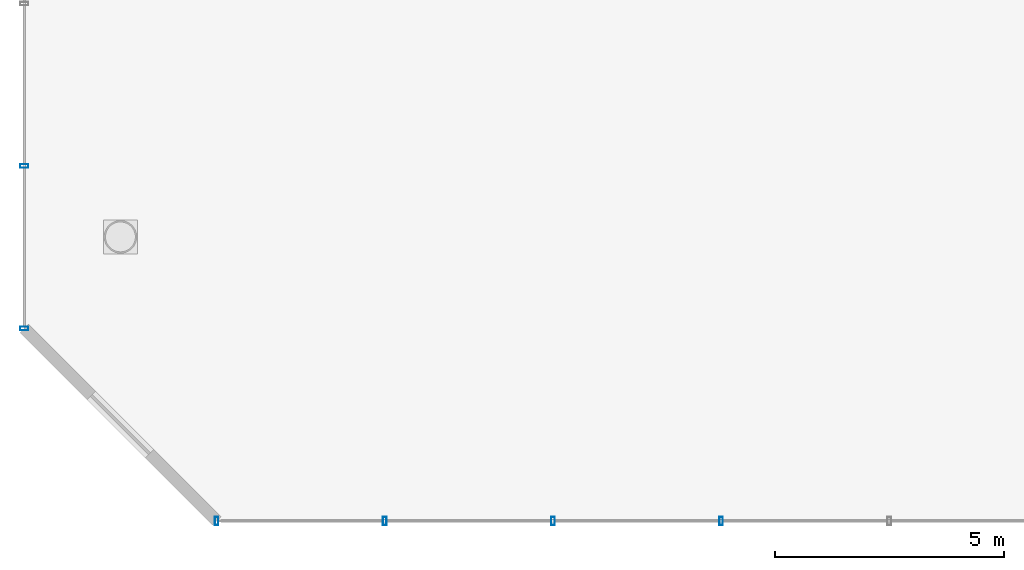
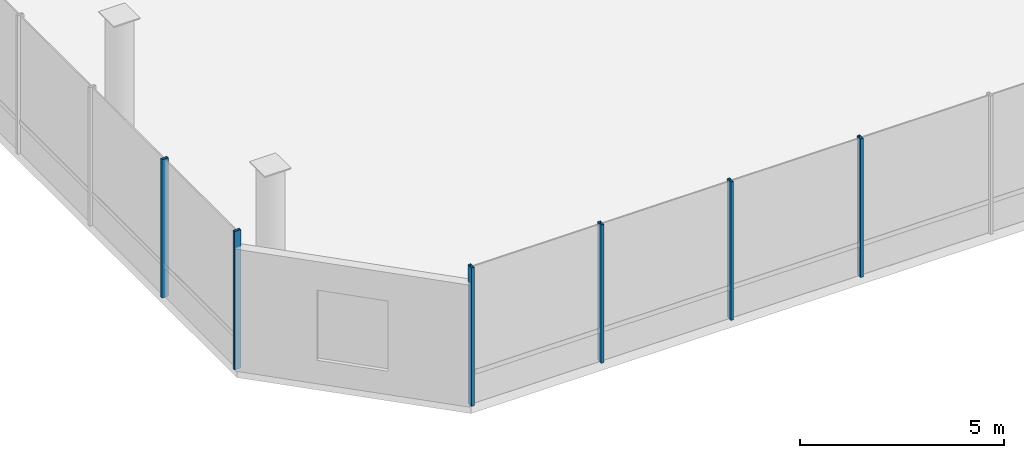
# One storey, part 5 of 43: 6 members, 2 elements without a shape of their own.
"""IFC4 building model written with IfcOpenShell, lengths in metres."""

from ifc_helpers import new_model, si_unit, direction, frame, origin, origin_2d, place, context, subcontext, project, spatial, hollow_rectangle, extrude, material, layer, layer_set, material_profile, profile_set, type_object, element, aggregate, save


model = new_model("IFC4")

# Units and contexts
model_context = context("Model", 3, precision=1e-05, world=origin(), true_north=direction((0.0, 1.0)))
body_context = subcontext(model_context, "Body", "Model", "MODEL_VIEW")
ifc_project = project(units=[si_unit("LENGTHUNIT", "METRE"), si_unit("AREAUNIT", "SQUARE_METRE"), si_unit("VOLUMEUNIT", "CUBIC_METRE"), si_unit("PLANEANGLEUNIT", "RADIAN"), si_unit("MASSUNIT", "GRAM", prefix="KILO")], contexts=[model_context])

# Site, building, storey
site_placement = place(None, origin())
site = spatial("IfcSite", under=ifc_project, at=site_placement, CompositionType="ELEMENT")
building_placement = place(site_placement, origin())
building = spatial("IfcBuilding", under=site, at=building_placement, Name="Zarrinselat Tower", CompositionType="ELEMENT")
storey_placement = place(building_placement, frame((0.0, 0.0, 5.10009765625)))
storey = spatial("IfcBuildingStorey", under=building, at=storey_placement, Name="L01", CompositionType="ELEMENT", Elevation=5.10009765625)

# Curtain wall, members
ifc_material_1 = material(Name="Extruded Aluminium Alloy EN AW-6063 T6", Category="aluminium")
ifc_layer = layer(ifc_material_1, 0.2099609375)
ifc_layer_set = layer_set([ifc_layer], Name="Extruded Aluminium Alloy EN AW-6063 T6")
curtain_wall_type = type_object("IfcCurtainWallType", Name="CWS-POD", PredefinedType="NOTDEFINED", material=ifc_layer_set)
curtain_wall_1_placement = place(storey_placement, origin())
curtain_wall_1 = element("IfcCurtainWall", 1, at=curtain_wall_1_placement, inside=storey, type_object=curtain_wall_type, Name="L01 Unitised Curtain Wall CW-L01-F1", PredefinedType="NOTDEFINED")
ifc_material_2 = material(Name="Extruded Aluminium Alloy EN AW-6063 T6", Category="aluminium")
ifc_material_profile = material_profile(ifc_material_2, hollow_rectangle(XDim=0.080078125, YDim=0.179931640625, WallThickness=0.0048828125, at=origin_2d()), Name="RHS 180x80x5")
ifc_profile_set = profile_set([ifc_material_profile], Name="Extruded Aluminium Alloy EN AW-6063 T6")
member_type = type_object("IfcMemberType", Name="MEM-CW-MUL", PredefinedType="MULLION", material=ifc_profile_set)
member_1_placement = place(storey_placement, frame((1.699951171875, 4.800048828125, 0.0), z_axis=(0.0, 0.0, 1.0), x_axis=(1.0, 0.0, 0.0)))
member_1 = element("IfcMember", 2, at=member_1_placement, type_object=member_type, Name="CW-L01-F1 Mullion 0", PredefinedType="MULLION", context=body_context, shape_type="SweptSolid", body=[
    extrude(hollow_rectangle(XDim=0.080078125, YDim=0.179931640625, WallThickness=0.0048828125, at=origin_2d()), origin(), (0.0, 0.0, 1.0), 4.139892578125),
])
member_2_placement = place(storey_placement, frame((5.3701171875, 4.800048828125, 0.0), z_axis=(0.0, 0.0, 1.0), x_axis=(1.0, 0.0, 0.0)))
member_2 = element("IfcMember", 3, at=member_2_placement, type_object=member_type, Name="CW-L01-F1 Mullion 1", PredefinedType="MULLION", context=body_context, shape_type="SweptSolid", body=[
    extrude(hollow_rectangle(XDim=0.080078125, YDim=0.179931640625, WallThickness=0.0048828125, at=origin_2d()), origin(), (0.0, 0.0, 1.0), 4.139892578125),
])
member_3_placement = place(storey_placement, frame((9.0400390625, 4.800048828125, 0.0), z_axis=(0.0, 0.0, 1.0), x_axis=(1.0, 0.0, 0.0)))
member_3 = element("IfcMember", 4, at=member_3_placement, type_object=member_type, Name="CW-L01-F1 Mullion 2", PredefinedType="MULLION", context=body_context, shape_type="SweptSolid", body=[
    extrude(hollow_rectangle(XDim=0.080078125, YDim=0.179931640625, WallThickness=0.0048828125, at=origin_2d()), origin(), (0.0, 0.0, 1.0), 4.139892578125),
])
member_4_placement = place(storey_placement, frame((12.7099609375, 4.800048828125, 0.0), z_axis=(0.0, 0.0, 1.0), x_axis=(1.0, 0.0, 0.0)))
member_4 = element("IfcMember", 5, at=member_4_placement, type_object=member_type, Name="CW-L01-F1 Mullion 3", PredefinedType="MULLION", context=body_context, shape_type="SweptSolid", body=[
    extrude(hollow_rectangle(XDim=0.080078125, YDim=0.179931640625, WallThickness=0.0048828125, at=origin_2d()), origin(), (0.0, 0.0, 1.0), 4.139892578125),
])
aggregate(curtain_wall_1, [member_1, member_2, member_3, member_4])

curtain_wall_2_placement = place(storey_placement, origin())
curtain_wall_2 = element("IfcCurtainWall", 6, at=curtain_wall_2_placement, inside=storey, type_object=curtain_wall_type, Name="L01 Unitised Curtain Wall CW-L01-F7", PredefinedType="NOTDEFINED")
member_5_placement = place(storey_placement, frame((-2.5, 12.54541015625, 0.0), z_axis=(0.0, 0.0, 1.0), x_axis=(0.0, -1.0, 0.0)))
member_5 = element("IfcMember", 7, at=member_5_placement, type_object=member_type, Name="CW-L01-F7 Mullion 10", PredefinedType="MULLION", context=body_context, shape_type="SweptSolid", body=[
    extrude(hollow_rectangle(XDim=0.080078125, YDim=0.179931640625, WallThickness=0.0048828125, at=origin_2d()), origin(), (0.0, 0.0, 1.0), 4.139892578125),
])
member_6_placement = place(storey_placement, frame((-2.5, 9.0, 0.0), z_axis=(0.0, 0.0, 1.0), x_axis=(0.0, -1.0, 0.0)))
member_6 = element("IfcMember", 8, at=member_6_placement, type_object=member_type, Name="CW-L01-F7 Mullion 11", PredefinedType="MULLION", context=body_context, shape_type="SweptSolid", body=[
    extrude(hollow_rectangle(XDim=0.080078125, YDim=0.179931640625, WallThickness=0.0048828125, at=origin_2d()), origin(), (0.0, 0.0, 1.0), 4.139892578125),
])
aggregate(curtain_wall_2, [member_5, member_6])

save(model, "model.ifc")
